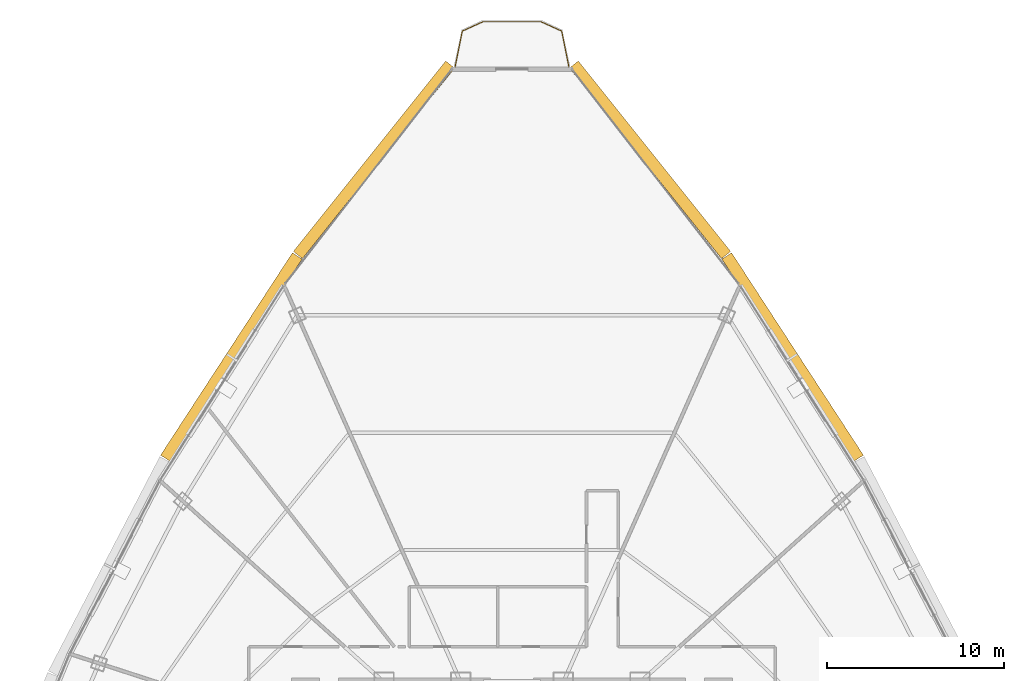
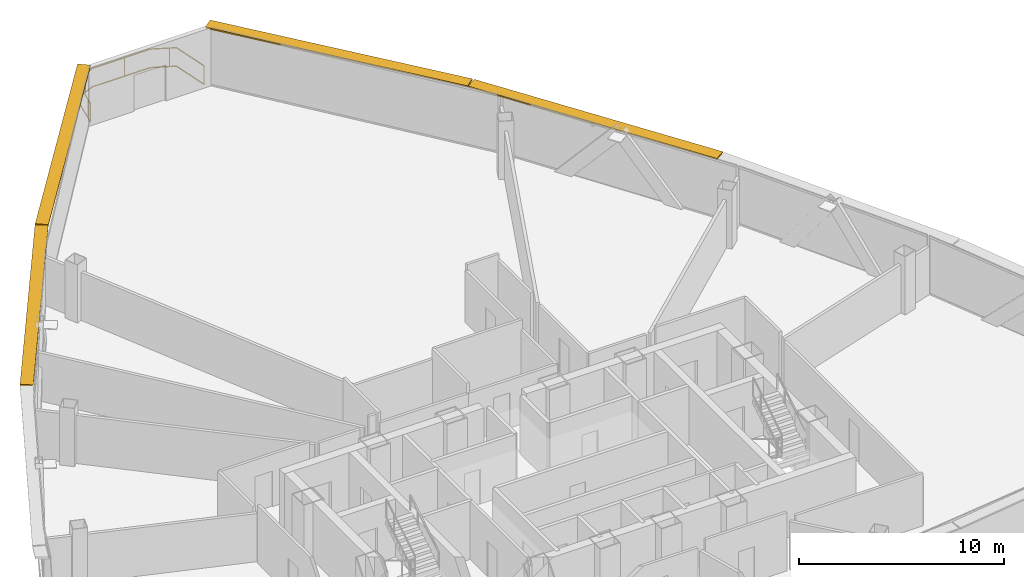
# One storey, part 33 of 33: 4 shading devices, 1 railing.
"""IFC4 building model written with IfcOpenShell, lengths in metres."""

from ifc_helpers import new_model, si_unit, direction, frame, origin, origin_2d, place, context, subcontext, project, spatial, rectangle, extrude, source, transform, mapped, material, layer, layer_set, type_object, element, save


model = new_model("IFC4")

# Units and contexts
model_context = context("Model", 3, precision=1e-05, world=origin(), true_north=direction((0.0, 1.0)))
body_context = subcontext(model_context, "Body", "Model", "MODEL_VIEW")
ifc_project = project(units=[si_unit("LENGTHUNIT", "METRE"), si_unit("AREAUNIT", "SQUARE_METRE"), si_unit("VOLUMEUNIT", "CUBIC_METRE"), si_unit("PLANEANGLEUNIT", "RADIAN"), si_unit("MASSUNIT", "GRAM", prefix="KILO"), si_unit("THERMODYNAMICTEMPERATUREUNIT", "KELVIN"), si_unit("POWERUNIT", "WATT")], contexts=[model_context])

# Site, building, storey
site_placement = place(None, origin())
site = spatial("IfcSite", under=ifc_project, at=site_placement, CompositionType="ELEMENT")
building_placement = place(site_placement, origin())
building = spatial("IfcBuilding", under=site, at=building_placement, Name="Yunzhuo Pagoda Commons", CompositionType="ELEMENT")
storey_placement = place(building_placement, frame((0.0, 0.0, 307.39990234375)))
storey = spatial("IfcBuildingStorey", under=building, at=storey_placement, Name="L77", CompositionType="ELEMENT", Elevation=307.39990234375)

# Railing
ifc_material = material(Name="Anodized aluminium 6063-T6", Category="aluminium")
railing_type = type_object("IfcRailingType", Name="RL-BAL1 Exterior Terrace & Balcony Balustrade 1150", PredefinedType="BALUSTRADE", material=ifc_material)
railing_placement = place(storey_placement, frame((51.207763671875, 74.918212890625, 0.0)))
element("IfcRailing", 1, at=railing_placement, inside=storey, type_object=railing_type, Name="L77 corner balcony balustrade V3", PredefinedType="BALUSTRADE", context=body_context, shape_type="SweptSolid", body=[
    extrude(rectangle(XDim=0.048095703125, YDim=0.048095703125, at=origin_2d()), frame((0.0, 0.0, 1.1259765625), z_axis=(-0.194223156668, 0.980957371864, 0.0), x_axis=(-0.980957371864, -0.194223156668, 0.0)), (0.0, 0.0, 1.0), 2.05908203125),
    extrude(rectangle(XDim=0.048095703125, YDim=0.048095703125, at=origin_2d()), frame((0.0, 0.0, 0.02392578125), z_axis=(-0.194223156668, 0.980957371864, 0.0), x_axis=(-0.980957371864, -0.194223156668, 0.0)), (0.0, 0.0, 1.0), 2.05908203125),
    extrude(rectangle(XDim=0.048095703125, YDim=0.048095703125, at=origin_2d()), frame((-0.39990234375, 2.019775390625, 1.1259765625), z_axis=(-0.910098275253, 0.414392482293, 0.0), x_axis=(-0.414392482293, -0.910098275253, 0.0)), (0.0, 0.0, 1.0), 1.279052734375),
    extrude(rectangle(XDim=0.048095703125, YDim=0.048095703125, at=origin_2d()), frame((-0.39990234375, 2.019775390625, 0.02392578125), z_axis=(-0.910098275253, 0.414392482293, 0.0), x_axis=(-0.414392482293, -0.910098275253, 0.0)), (0.0, 0.0, 1.0), 1.279052734375),
    extrude(rectangle(XDim=0.048095703125, YDim=0.048095703125, at=origin_2d()), frame((-1.56396484375, 2.5498046875, 1.1259765625), z_axis=(-1.0, 0.0, 0.0), x_axis=(0.0, -1.0, 0.0)), (0.0, 0.0, 1.0), 3.28759765625),
    extrude(rectangle(XDim=0.048095703125, YDim=0.048095703125, at=origin_2d()), frame((-1.56396484375, 2.5498046875, 0.02392578125), z_axis=(-1.0, 0.0, 0.0), x_axis=(0.0, -1.0, 0.0)), (0.0, 0.0, 1.0), 3.28759765625),
    extrude(rectangle(XDim=0.048095703125, YDim=0.048095703125, at=origin_2d()), frame((-4.8515625, 2.5498046875, 1.1259765625), z_axis=(-0.910098275253, -0.414392482293, 0.0), x_axis=(0.414392482293, -0.910098275253, 0.0)), (0.0, 0.0, 1.0), 1.279052734375),
    extrude(rectangle(XDim=0.048095703125, YDim=0.048095703125, at=origin_2d()), frame((-4.8515625, 2.5498046875, 0.02392578125), z_axis=(-0.910098275253, -0.414392482293, 0.0), x_axis=(0.414392482293, -0.910098275253, 0.0)), (0.0, 0.0, 1.0), 1.279052734375),
    extrude(rectangle(XDim=0.048095703125, YDim=0.048095703125, at=origin_2d()), frame((-6.015625, 2.019775390625, 1.1259765625), z_axis=(-0.194223156668, -0.980957371864, 0.0), x_axis=(0.980957371864, -0.194223156668, 0.0)), (0.0, 0.0, 1.0), 2.05908203125),
    extrude(rectangle(XDim=0.048095703125, YDim=0.048095703125, at=origin_2d()), frame((-6.015625, 2.019775390625, 0.02392578125), z_axis=(-0.194223156668, -0.980957371864, 0.0), x_axis=(0.980957371864, -0.194223156668, 0.0)), (0.0, 0.0, 1.0), 2.05908203125),
    extrude(rectangle(XDim=0.0419921875, YDim=0.0419921875, at=origin_2d()), origin(), (0.0, 0.0, 1.0), 1.101806640625),
    extrude(rectangle(XDim=0.0419921875, YDim=0.0419921875, at=origin_2d()), frame((-0.710205078125, 2.1611328125, 0.0)), (0.0, 0.0, 1.0), 1.101806640625),
    extrude(rectangle(XDim=0.0419921875, YDim=0.0419921875, at=origin_2d()), frame((-3.02587890625, 2.5498046875, 0.0)), (0.0, 0.0, 1.0), 1.101806640625),
    extrude(rectangle(XDim=0.0419921875, YDim=0.0419921875, at=origin_2d()), frame((-5.374267578125, 2.311767578125, 0.0)), (0.0, 0.0, 1.0), 1.101806640625),
    extrude(rectangle(XDim=0.0419921875, YDim=0.0419921875, at=origin_2d()), frame((-6.344970703125, 0.356689453125, 0.0)), (0.0, 0.0, 1.0), 1.101806640625),
    extrude(rectangle(XDim=0.0419921875, YDim=0.0419921875, at=origin_2d()), frame((-6.41552734375, 0.0, 0.0)), (0.0, 0.0, 1.0), 1.101806640625),
])

# Shading devices
ifc_layer = layer(ifc_material, 0.080078125)
ifc_layer_set = layer_set([ifc_layer], Name="Anodized aluminium 6063-T6")
shading_device_type = type_object("IfcShadingDeviceType", Name="SH-SUN1 Pagoda Horizontal Sunshade Eave 650", PredefinedType="USERDEFINED", material=ifc_layer_set)
shared_shape_1 = source(origin(), body_context, "Body", "SweptSolid", [
    extrude(rectangle(XDim=13.7578125, YDim=0.64990234375, at=origin_2d()), origin(), (0.0, 0.0, 1.0), 0.080078125),
])
for number, where, z_axis, x_axis, name in (
    (2, (55.78369140625, 69.679931640625, 3.39013671875), (0.0, 0.0, 1.0), (-0.624520471688, 0.781008438138, 0.0), "L77 horizontal pagoda sunshade eave F2.4"),
    (3, (40.21630859375, 69.679931640625, 3.39013671875), (0.0, 0.0, 1.0), (-0.624520471688, -0.781008438138, 0.0), "L77 horizontal pagoda sunshade eave F3.1"),
):
    element("IfcShadingDevice", number, at=place(storey_placement, frame(where, z_axis=z_axis, x_axis=x_axis)), inside=storey, type_object=shading_device_type, Name=name, ObjectType="SUNSHADE", PredefinedType="USERDEFINED", context=body_context, shape_type="MappedRepresentation", body=[
        mapped(shared_shape_1, transform((0.0, 0.0, 0.0), scale=1.0)),
    ])
shared_shape_2 = source(origin(), body_context, "Body", "SweptSolid", [
    extrude(rectangle(XDim=13.626953125, YDim=0.64990234375, at=origin_2d()), origin(), (0.0, 0.0, 1.0), 0.080078125),
])
for number, where, z_axis, x_axis, name in (
    (4, (63.8359375, 58.547119140625, 3.39013671875), (0.0, 0.0, 1.0), (-0.545853380833, 0.837880711458, 0.0), "L77 horizontal pagoda sunshade eave F2.3"),
    (5, (32.1640625, 58.547119140625, 3.39013671875), (0.0, 0.0, 1.0), (-0.545853380833, -0.837880711458, 0.0), "L77 horizontal pagoda sunshade eave F3.2"),
):
    element("IfcShadingDevice", number, at=place(storey_placement, frame(where, z_axis=z_axis, x_axis=x_axis)), inside=storey, type_object=shading_device_type, Name=name, ObjectType="SUNSHADE", PredefinedType="USERDEFINED", context=body_context, shape_type="MappedRepresentation", body=[
        mapped(shared_shape_2, transform((0.0, 0.0, 0.0), scale=1.0)),
    ])

save(model, "model.ifc")
